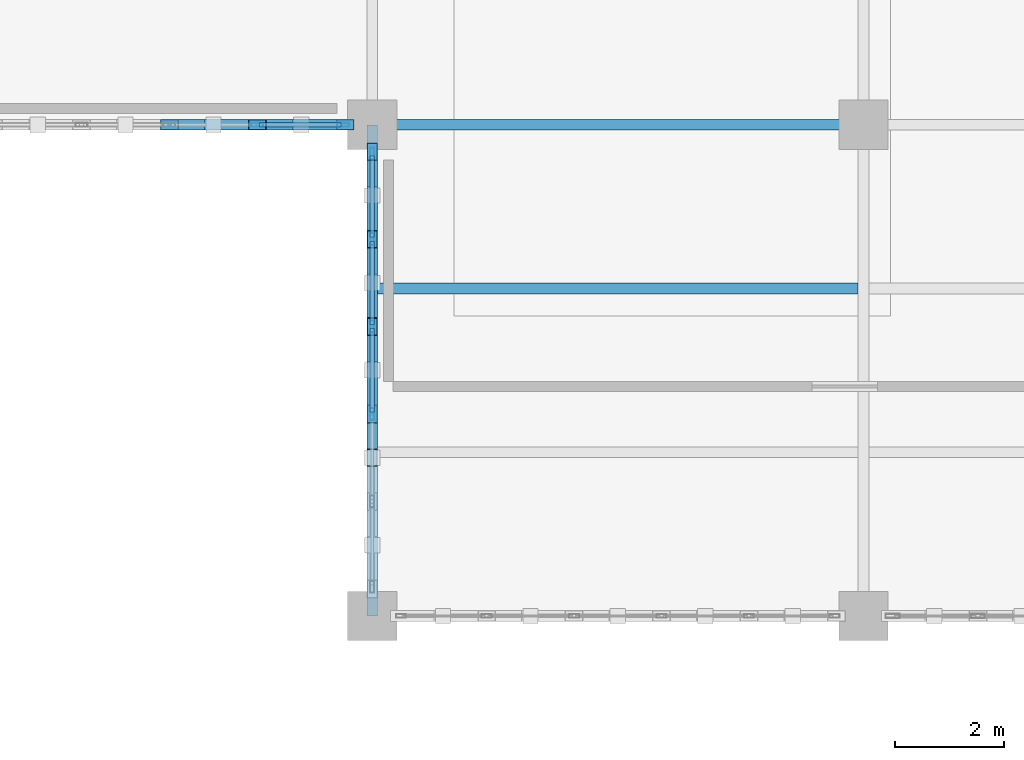
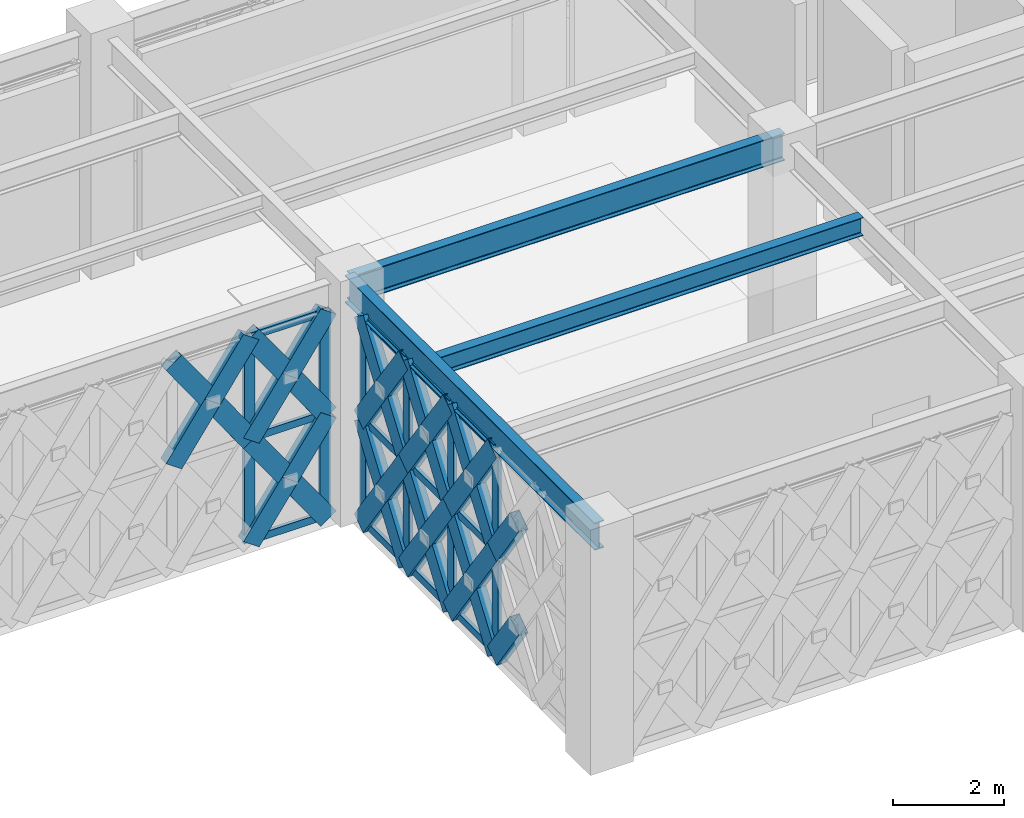
# One storey, part 19 of 155: 47 members, 3 beams, 2 elements without a shape of their own.
"""IFC4 building model written with IfcOpenShell, lengths in metres."""

from ifc_helpers import new_model, si_unit, direction, frame, origin, origin_2d, place, context, subcontext, project, spatial, hollow_rectangle, i_section, extrude, material, material_profile, profile_set, type_object, element, aggregate, save


model = new_model("IFC4")

# Units and contexts
model_context = context("Model", 3, precision=1e-05, world=origin(), true_north=direction((0.0, 1.0)))
body_context = subcontext(model_context, "Body", "Model", "MODEL_VIEW")
ifc_project = project(units=[si_unit("LENGTHUNIT", "METRE"), si_unit("AREAUNIT", "SQUARE_METRE"), si_unit("VOLUMEUNIT", "CUBIC_METRE"), si_unit("PLANEANGLEUNIT", "RADIAN"), si_unit("MASSUNIT", "GRAM", prefix="KILO")], contexts=[model_context])

# Site, building, storey
site_placement = place(None, origin())
site = spatial("IfcSite", under=ifc_project, at=site_placement, CompositionType="ELEMENT")
building_placement = place(site_placement, origin())
building = spatial("IfcBuilding", under=site, at=building_placement, Name="Haizhuo Lancet Aquarium", CompositionType="ELEMENT")
storey_placement = place(building_placement, frame((0.0, 0.0, 10.800048828125)))
storey = spatial("IfcBuildingStorey", under=building, at=storey_placement, Name="L02", CompositionType="ELEMENT", Elevation=10.800048828125)

# Beams
ifc_material_1 = material(Name="Steel S355", Category="steel")
ifc_material_profile_1 = material_profile(ifc_material_1, i_section(OverallWidth=0.199951171875, OverallDepth=0.60009765625, WebThickness=0.010986328125, FlangeThickness=0.01708984375, FilletRadius=0.02197265625, at=origin_2d()), Name="HN 600x200x11x17")
ifc_profile_set_1 = profile_set([ifc_material_profile_1], Name="Steel S355")
beam_type_1 = type_object("IfcBeamType", Name="BM-ST-HN600", PredefinedType="BEAM", material=ifc_profile_set_1)
for number, where, z_axis, x_axis, name in (
    (1, (-72.0, -27.0, 4.85986328125), (0.0, 1.0, 0.0), (-1.0, 0.0, 0.0), "L02 V6 primary girder BM-L02-V6-004"),
    (2, (-72.0, -18.0, 4.85986328125), (1.0, 0.0, 0.0), (0.0, 1.0, 0.0), "L02 V6 primary girder BM-L02-V6-007"),
):
    element("IfcBeam", number, at=place(storey_placement, frame(where, z_axis=z_axis, x_axis=x_axis)), inside=storey, type_object=beam_type_1, Name=name, PredefinedType="BEAM", context=body_context, shape_type="SweptSolid", body=[
        extrude(i_section(OverallWidth=0.199951171875, OverallDepth=0.60009765625, WebThickness=0.010986328125, FlangeThickness=0.01708984375, FilletRadius=0.02197265625, at=origin_2d()), origin(), (0.0, 0.0, 1.0), 9.0),
    ])

# Curtain wall, members
ifc_material_2 = material(Name="Aluminium 6063-T6", Category="aluminium")
curtain_wall_type_1 = type_object("IfcCurtainWallType", Name="CWD-9660x4560", PredefinedType="NOTDEFINED", material=ifc_material_2)
curtain_wall_1_placement = place(storey_placement, origin())
curtain_wall_1 = element("IfcCurtainWall", 3, at=curtain_wall_1_placement, inside=storey, type_object=curtain_wall_type_1, Name="L02 curtain wall CW-V6-L02-212", PredefinedType="NOTDEFINED")
ifc_material_profile_2 = material_profile(ifc_material_2, hollow_rectangle(XDim=0.074951171875, YDim=0.219970703125, WallThickness=0.0048828125, at=origin_2d()), Name="ALU-M 75x220x5")
ifc_profile_set_2 = profile_set([ifc_material_profile_2], Name="Aluminium 6063-T6")
member_type_1 = type_object("IfcMemberType", Name="CW-MUL-2", PredefinedType="MULLION", material=ifc_profile_set_2)
member_1_placement = place(storey_placement, frame((-72.531982421875, -18.0, 0.0), z_axis=(0.0, 0.0, 1.0), x_axis=(0.0, -1.0, 0.0)))
member_1 = element("IfcMember", 4, at=member_1_placement, type_object=member_type_1, Name="CWD-96x45 mullion 1", PredefinedType="MULLION", context=body_context, shape_type="SweptSolid", body=[
    extrude(hollow_rectangle(XDim=0.074951171875, YDim=0.219970703125, WallThickness=0.0048828125, at=origin_2d()), origin(), (0.0, 0.0, 1.0), 4.56005859375),
])
member_2_placement = place(storey_placement, frame((-74.10498046875, -18.0, 0.0), z_axis=(0.0, 0.0, 1.0), x_axis=(0.0, -1.0, 0.0)))
member_2 = element("IfcMember", 5, at=member_2_placement, type_object=member_type_1, Name="CWD-96x45 mullion 2", PredefinedType="MULLION", context=body_context, shape_type="SweptSolid", body=[
    extrude(hollow_rectangle(XDim=0.074951171875, YDim=0.219970703125, WallThickness=0.0048828125, at=origin_2d()), origin(), (0.0, 0.0, 1.0), 4.56005859375),
])

curtain_wall_type_2 = type_object("IfcCurtainWallType", Name="CWD-8010x4560", PredefinedType="NOTDEFINED", material=ifc_material_2)
curtain_wall_2_placement = place(storey_placement, origin())
curtain_wall_2 = element("IfcCurtainWall", 6, at=curtain_wall_2_placement, inside=storey, type_object=curtain_wall_type_2, Name="L02 curtain wall CW-V6-L02-227", PredefinedType="NOTDEFINED")
member_3_placement = place(storey_placement, frame((-72.0, -23.301025390625, 0.0), z_axis=(0.0, 0.0, 1.0), x_axis=(-1.0, 0.0, 0.0)))
member_3 = element("IfcMember", 7, at=member_3_placement, type_object=member_type_1, Name="CWD-80x45 mullion 3", PredefinedType="MULLION", context=body_context, shape_type="SweptSolid", body=[
    extrude(hollow_rectangle(XDim=0.074951171875, YDim=0.219970703125, WallThickness=0.0048828125, at=origin_2d()), origin(), (0.0, 0.0, 1.0), 4.56005859375),
])
member_4_placement = place(storey_placement, frame((-72.0, -21.698974609375, 0.0), z_axis=(0.0, 0.0, 1.0), x_axis=(-1.0, 0.0, 0.0)))
member_4 = element("IfcMember", 8, at=member_4_placement, type_object=member_type_1, Name="CWD-80x45 mullion 4", PredefinedType="MULLION", context=body_context, shape_type="SweptSolid", body=[
    extrude(hollow_rectangle(XDim=0.074951171875, YDim=0.219970703125, WallThickness=0.0048828125, at=origin_2d()), origin(), (0.0, 0.0, 1.0), 4.56005859375),
])
member_5_placement = place(storey_placement, frame((-72.0, -20.096923828125, 0.0), z_axis=(0.0, 0.0, 1.0), x_axis=(-1.0, 0.0, 0.0)))
member_5 = element("IfcMember", 9, at=member_5_placement, type_object=member_type_1, Name="CWD-80x45 mullion 5", PredefinedType="MULLION", context=body_context, shape_type="SweptSolid", body=[
    extrude(hollow_rectangle(XDim=0.074951171875, YDim=0.219970703125, WallThickness=0.0048828125, at=origin_2d()), origin(), (0.0, 0.0, 1.0), 4.56005859375),
])
member_6_placement = place(storey_placement, frame((-72.0, -18.531982421875, 0.0), z_axis=(0.0, 0.0, 1.0), x_axis=(-1.0, 0.0, 0.0)))
member_6 = element("IfcMember", 10, at=member_6_placement, type_object=member_type_1, Name="CWD-80x45 mullion 6", PredefinedType="MULLION", context=body_context, shape_type="SweptSolid", body=[
    extrude(hollow_rectangle(XDim=0.074951171875, YDim=0.219970703125, WallThickness=0.0048828125, at=origin_2d()), origin(), (0.0, 0.0, 1.0), 4.56005859375),
])

# Member
ifc_material_profile_3 = material_profile(ifc_material_2, hollow_rectangle(XDim=0.074951171875, YDim=0.159912109375, WallThickness=0.00390625, at=origin_2d()), Name="ALU-T 75x160x4")
ifc_profile_set_3 = profile_set([ifc_material_profile_3], Name="Aluminium 6063-T6")
member_type_2 = type_object("IfcMemberType", Name="CW-TRN-2", PredefinedType="NOTDEFINED", material=ifc_profile_set_3)
member_7_placement = place(storey_placement, frame((-72.570068359375, -18.0, 0.037841796875), z_axis=(-1.0, 0.0, 0.0), x_axis=(0.0, -1.0, 0.0)))
member_7 = element("IfcMember", 11, at=member_7_placement, type_object=member_type_2, Name="CWD-96x45 transom 1.1", ObjectType="TRANSOM", PredefinedType="USERDEFINED", context=body_context, shape_type="SweptSolid", body=[
    extrude(hollow_rectangle(XDim=0.074951171875, YDim=0.159912109375, WallThickness=0.00390625, at=origin_2d()), origin(), (0.0, 0.0, 1.0), 1.498046875),
])

member_8_placement = place(storey_placement, frame((-72.570068359375, -18.0, 2.280029296875), z_axis=(-1.0, 0.0, 0.0), x_axis=(0.0, -1.0, 0.0)))
member_8 = element("IfcMember", 12, at=member_8_placement, type_object=member_type_2, Name="CWD-96x45 transom 1.2", ObjectType="TRANSOM", PredefinedType="USERDEFINED", context=body_context, shape_type="SweptSolid", body=[
    extrude(hollow_rectangle(XDim=0.074951171875, YDim=0.159912109375, WallThickness=0.00390625, at=origin_2d()), origin(), (0.0, 0.0, 1.0), 1.498046875),
])

member_9_placement = place(storey_placement, frame((-72.570068359375, -18.0, 4.52197265625), z_axis=(-1.0, 0.0, 0.0), x_axis=(0.0, -1.0, 0.0)))
member_9 = element("IfcMember", 13, at=member_9_placement, type_object=member_type_2, Name="CWD-96x45 transom 1.3", ObjectType="TRANSOM", PredefinedType="USERDEFINED", context=body_context, shape_type="SweptSolid", body=[
    extrude(hollow_rectangle(XDim=0.074951171875, YDim=0.159912109375, WallThickness=0.00390625, at=origin_2d()), origin(), (0.0, 0.0, 1.0), 1.498046875),
])

aggregate(curtain_wall_1, [member_1, member_2, member_7, member_8, member_9])

member_10_placement = place(storey_placement, frame((-72.0, -23.263916015625, 0.037841796875), z_axis=(0.0, 1.0, 0.0), x_axis=(-1.0, 0.0, 0.0)))
member_10 = element("IfcMember", 14, at=member_10_placement, type_object=member_type_2, Name="CWD-80x45 transom 3.1", ObjectType="TRANSOM", PredefinedType="USERDEFINED", context=body_context, shape_type="SweptSolid", body=[
    extrude(hollow_rectangle(XDim=0.074951171875, YDim=0.159912109375, WallThickness=0.00390625, at=origin_2d()), origin(), (0.0, 0.0, 1.0), 1.52783203125),
])

member_11_placement = place(storey_placement, frame((-72.0, -23.263916015625, 2.280029296875), z_axis=(0.0, 1.0, 0.0), x_axis=(-1.0, 0.0, 0.0)))
member_11 = element("IfcMember", 15, at=member_11_placement, type_object=member_type_2, Name="CWD-80x45 transom 3.2", ObjectType="TRANSOM", PredefinedType="USERDEFINED", context=body_context, shape_type="SweptSolid", body=[
    extrude(hollow_rectangle(XDim=0.074951171875, YDim=0.159912109375, WallThickness=0.00390625, at=origin_2d()), origin(), (0.0, 0.0, 1.0), 1.52783203125),
])

member_12_placement = place(storey_placement, frame((-72.0, -23.263916015625, 4.52197265625), z_axis=(0.0, 1.0, 0.0), x_axis=(-1.0, 0.0, 0.0)))
member_12 = element("IfcMember", 16, at=member_12_placement, type_object=member_type_2, Name="CWD-80x45 transom 3.3", ObjectType="TRANSOM", PredefinedType="USERDEFINED", context=body_context, shape_type="SweptSolid", body=[
    extrude(hollow_rectangle(XDim=0.074951171875, YDim=0.159912109375, WallThickness=0.00390625, at=origin_2d()), origin(), (0.0, 0.0, 1.0), 1.52783203125),
])

member_13_placement = place(storey_placement, frame((-72.0, -21.662109375, 0.037841796875), z_axis=(0.0, 1.0, 0.0), x_axis=(-1.0, 0.0, 0.0)))
member_13 = element("IfcMember", 17, at=member_13_placement, type_object=member_type_2, Name="CWD-80x45 transom 4.1", ObjectType="TRANSOM", PredefinedType="USERDEFINED", context=body_context, shape_type="SweptSolid", body=[
    extrude(hollow_rectangle(XDim=0.074951171875, YDim=0.159912109375, WallThickness=0.00390625, at=origin_2d()), origin(), (0.0, 0.0, 1.0), 1.528076171875),
])

member_14_placement = place(storey_placement, frame((-72.0, -21.662109375, 2.280029296875), z_axis=(0.0, 1.0, 0.0), x_axis=(-1.0, 0.0, 0.0)))
member_14 = element("IfcMember", 18, at=member_14_placement, type_object=member_type_2, Name="CWD-80x45 transom 4.2", ObjectType="TRANSOM", PredefinedType="USERDEFINED", context=body_context, shape_type="SweptSolid", body=[
    extrude(hollow_rectangle(XDim=0.074951171875, YDim=0.159912109375, WallThickness=0.00390625, at=origin_2d()), origin(), (0.0, 0.0, 1.0), 1.528076171875),
])

member_15_placement = place(storey_placement, frame((-72.0, -21.662109375, 4.52197265625), z_axis=(0.0, 1.0, 0.0), x_axis=(-1.0, 0.0, 0.0)))
member_15 = element("IfcMember", 19, at=member_15_placement, type_object=member_type_2, Name="CWD-80x45 transom 4.3", ObjectType="TRANSOM", PredefinedType="USERDEFINED", context=body_context, shape_type="SweptSolid", body=[
    extrude(hollow_rectangle(XDim=0.074951171875, YDim=0.159912109375, WallThickness=0.00390625, at=origin_2d()), origin(), (0.0, 0.0, 1.0), 1.528076171875),
])

member_16_placement = place(storey_placement, frame((-72.0, -20.05908203125, 0.037841796875), z_axis=(0.0, 1.0, 0.0), x_axis=(-1.0, 0.0, 0.0)))
member_16 = element("IfcMember", 20, at=member_16_placement, type_object=member_type_2, Name="CWD-80x45 transom 5.1", ObjectType="TRANSOM", PredefinedType="USERDEFINED", context=body_context, shape_type="SweptSolid", body=[
    extrude(hollow_rectangle(XDim=0.074951171875, YDim=0.159912109375, WallThickness=0.00390625, at=origin_2d()), origin(), (0.0, 0.0, 1.0), 1.489013671875),
])

member_17_placement = place(storey_placement, frame((-72.0, -20.05908203125, 2.280029296875), z_axis=(0.0, 1.0, 0.0), x_axis=(-1.0, 0.0, 0.0)))
member_17 = element("IfcMember", 21, at=member_17_placement, type_object=member_type_2, Name="CWD-80x45 transom 5.2", ObjectType="TRANSOM", PredefinedType="USERDEFINED", context=body_context, shape_type="SweptSolid", body=[
    extrude(hollow_rectangle(XDim=0.074951171875, YDim=0.159912109375, WallThickness=0.00390625, at=origin_2d()), origin(), (0.0, 0.0, 1.0), 1.489013671875),
])

member_18_placement = place(storey_placement, frame((-72.0, -20.05908203125, 4.52197265625), z_axis=(0.0, 1.0, 0.0), x_axis=(-1.0, 0.0, 0.0)))
member_18 = element("IfcMember", 22, at=member_18_placement, type_object=member_type_2, Name="CWD-80x45 transom 5.3", ObjectType="TRANSOM", PredefinedType="USERDEFINED", context=body_context, shape_type="SweptSolid", body=[
    extrude(hollow_rectangle(XDim=0.074951171875, YDim=0.159912109375, WallThickness=0.00390625, at=origin_2d()), origin(), (0.0, 0.0, 1.0), 1.489013671875),
])

aggregate(curtain_wall_2, [member_3, member_4, member_5, member_6, member_10, member_11, member_12, member_13, member_14, member_15, member_16, member_17, member_18])

# Beam
ifc_material_profile_4 = material_profile(ifc_material_1, i_section(OverallWidth=0.199951171875, OverallDepth=0.39990234375, WebThickness=0.008056640625, FlangeThickness=0.012939453125, FilletRadius=0.01611328125, at=origin_2d()), Name="HN 400x200x8x13")
ifc_profile_set_4 = profile_set([ifc_material_profile_4], Name="Steel S355")
beam_type_2 = type_object("IfcBeamType", Name="JST-ST-HN400", PredefinedType="JOIST", material=ifc_profile_set_4)
beam_placement = place(storey_placement, frame((-71.89990234375, -21.0, 4.9599609375), z_axis=(1.0, 0.0, 0.0), x_axis=(0.0, 1.0, 0.0)))
element("IfcBeam", 23, at=beam_placement, inside=storey, type_object=beam_type_2, Name="L02 V6 secondary floor joist 4", PredefinedType="JOIST", context=body_context, shape_type="SweptSolid", body=[
    extrude(i_section(OverallWidth=0.199951171875, OverallDepth=0.39990234375, WebThickness=0.008056640625, FlangeThickness=0.012939453125, FilletRadius=0.01611328125, at=origin_2d()), origin(), (0.0, 0.0, 1.0), 8.7998046875),
])

# Members
ifc_material_profile_5 = material_profile(ifc_material_1, hollow_rectangle(XDim=0.199951171875, YDim=0.39990234375, WallThickness=0.011962890625, at=origin_2d()), Name="RHS 200x400x12")
ifc_profile_set_5 = profile_set([ifc_material_profile_5], Name="Steel S355")
member_type_3 = type_object("IfcMemberType", Name="MEM-LB-RHS200x400", PredefinedType="BRACE", material=ifc_profile_set_5)
member_19_placement = place(storey_placement, frame((-72.4951171875, -18.0, 0.0), z_axis=(-0.576786219339, 0.0, 0.816895132303), x_axis=(0.0, -1.0, 0.0)))
element("IfcMember", 24, at=member_19_placement, inside=storey, type_object=member_type_3, Name="Gothic lancet continuous diagonal brace CW-V6-L02-212 1A", PredefinedType="BRACE", context=body_context, shape_type="SweptSolid", body=[
    extrude(hollow_rectangle(XDim=0.199951171875, YDim=0.39990234375, WallThickness=0.011962890625, at=origin_2d()), origin(), (0.0, 0.0, 1.0), 2.791015625),
])
member_20_placement = place(storey_placement, frame((-74.10498046875, -18.0, 0.0), z_axis=(0.576827435773, 0.0, 0.816866029003), x_axis=(0.0, 1.0, 0.0)))
element("IfcMember", 25, at=member_20_placement, inside=storey, type_object=member_type_3, Name="Gothic lancet split diagonal brace CW-V6-L02-212 1B1", PredefinedType="BRACE", context=body_context, shape_type="SweptSolid", body=[
    extrude(hollow_rectangle(XDim=0.199951171875, YDim=0.39990234375, WallThickness=0.011962890625, at=origin_2d()), origin(), (0.0, 0.0, 1.0), 1.3955078125),
])
member_21_placement = place(storey_placement, frame((-73.300048828125, -18.0, 1.139892578125), z_axis=(0.576745007327, 0.0, 0.816924229365), x_axis=(0.0, 1.0, 0.0)))
element("IfcMember", 26, at=member_21_placement, inside=storey, type_object=member_type_3, Name="Gothic lancet split diagonal brace CW-V6-L02-212 1B2", PredefinedType="BRACE", context=body_context, shape_type="SweptSolid", body=[
    extrude(hollow_rectangle(XDim=0.199951171875, YDim=0.39990234375, WallThickness=0.011962890625, at=origin_2d()), origin(), (0.0, 0.0, 1.0), 1.395751953125),
])
member_22_placement = place(storey_placement, frame((-72.4951171875, -18.0, 2.280029296875), z_axis=(-0.576786219339, 0.0, 0.816895132303), x_axis=(0.0, -1.0, 0.0)))
element("IfcMember", 27, at=member_22_placement, inside=storey, type_object=member_type_3, Name="Gothic lancet continuous diagonal brace CW-V6-L02-212 2A", PredefinedType="BRACE", context=body_context, shape_type="SweptSolid", body=[
    extrude(hollow_rectangle(XDim=0.199951171875, YDim=0.39990234375, WallThickness=0.011962890625, at=origin_2d()), origin(), (0.0, 0.0, 1.0), 2.791015625),
])
member_23_placement = place(storey_placement, frame((-74.10498046875, -18.0, 2.280029296875), z_axis=(0.576827435773, 0.0, 0.816866029003), x_axis=(0.0, 1.0, 0.0)))
element("IfcMember", 28, at=member_23_placement, inside=storey, type_object=member_type_3, Name="Gothic lancet split diagonal brace CW-V6-L02-212 2B1", PredefinedType="BRACE", context=body_context, shape_type="SweptSolid", body=[
    extrude(hollow_rectangle(XDim=0.199951171875, YDim=0.39990234375, WallThickness=0.011962890625, at=origin_2d()), origin(), (0.0, 0.0, 1.0), 1.3955078125),
])
member_24_placement = place(storey_placement, frame((-73.300048828125, -18.0, 3.419921875), z_axis=(0.576745007327, 0.0, 0.816924229365), x_axis=(0.0, 1.0, 0.0)))
element("IfcMember", 29, at=member_24_placement, inside=storey, type_object=member_type_3, Name="Gothic lancet split diagonal brace CW-V6-L02-212 2B2", PredefinedType="BRACE", context=body_context, shape_type="SweptSolid", body=[
    extrude(hollow_rectangle(XDim=0.199951171875, YDim=0.39990234375, WallThickness=0.011962890625, at=origin_2d()), origin(), (0.0, 0.0, 1.0), 1.395751953125),
])
member_25_placement = place(storey_placement, frame((-74.10498046875, -18.0, 2.280029296875), z_axis=(-0.576844586112, 0.0, 0.816853918074), x_axis=(0.0, -1.0, 0.0)))
element("IfcMember", 30, at=member_25_placement, inside=storey, type_object=member_type_3, Name="Gothic lancet continuous diagonal brace CW-V6-L02-212 4A", PredefinedType="BRACE", context=body_context, shape_type="SweptSolid", body=[
    extrude(hollow_rectangle(XDim=0.199951171875, YDim=0.39990234375, WallThickness=0.011962890625, at=origin_2d()), origin(), (0.0, 0.0, 1.0), 2.791259765625),
])
member_26_placement = place(storey_placement, frame((-75.715087890625, -18.0, 2.280029296875), z_axis=(0.576944160506, 0.0, 0.816783591693), x_axis=(0.0, 1.0, 0.0)))
element("IfcMember", 31, at=member_26_placement, inside=storey, type_object=member_type_3, Name="Gothic lancet split diagonal brace CW-V6-L02-212 4B1", PredefinedType="BRACE", context=body_context, shape_type="SweptSolid", body=[
    extrude(hollow_rectangle(XDim=0.199951171875, YDim=0.39990234375, WallThickness=0.011962890625, at=origin_2d()), origin(), (0.0, 0.0, 1.0), 1.3955078125),
])
member_27_placement = place(storey_placement, frame((-74.909912109375, -18.0, 3.419921875), z_axis=(0.576745007327, 0.0, 0.816924229365), x_axis=(0.0, 1.0, 0.0)))
element("IfcMember", 32, at=member_27_placement, inside=storey, type_object=member_type_3, Name="Gothic lancet split diagonal brace CW-V6-L02-212 4B2", PredefinedType="BRACE", context=body_context, shape_type="SweptSolid", body=[
    extrude(hollow_rectangle(XDim=0.199951171875, YDim=0.39990234375, WallThickness=0.011962890625, at=origin_2d()), origin(), (0.0, 0.0, 1.0), 1.395751953125),
])
for number, where, z_axis, x_axis, name in (
    (33, (-72.0, -23.301025390625, 0.0), (0.0, -0.574955028356, 0.818185012921), (1.0, 0.0, 0.0), "Gothic lancet split diagonal brace CW-V6-L02-227 3B1"),
    (34, (-72.0, -23.301025390625, 2.280029296875), (0.0, -0.574955028356, 0.818185012921), (1.0, 0.0, 0.0), "Gothic lancet split diagonal brace CW-V6-L02-227 4B1"),
):
    element("IfcMember", number, at=place(storey_placement, frame(where, z_axis=z_axis, x_axis=x_axis)), inside=storey, type_object=member_type_3, Name=name, PredefinedType="BRACE", context=body_context, shape_type="SweptSolid", body=[
        extrude(hollow_rectangle(XDim=0.199951171875, YDim=0.39990234375, WallThickness=0.011962890625, at=origin_2d()), origin(), (0.0, 0.0, 1.0), 1.393310546875),
    ])
member_28_placement = place(storey_placement, frame((-72.0, -23.301025390625, 0.0), z_axis=(0.0, 0.574913812948, 0.818213974264), x_axis=(-1.0, 0.0, 0.0)))
element("IfcMember", 35, at=member_28_placement, inside=storey, type_object=member_type_3, Name="Gothic lancet continuous diagonal brace CW-V6-L02-227 5A", PredefinedType="BRACE", context=body_context, shape_type="SweptSolid", body=[
    extrude(hollow_rectangle(XDim=0.199951171875, YDim=0.39990234375, WallThickness=0.011962890625, at=origin_2d()), origin(), (0.0, 0.0, 1.0), 2.78662109375),
])
for number, where, z_axis, x_axis, name in (
    (36, (-72.0, -21.698974609375, 0.0), (0.0, -0.574955028356, 0.818185012921), (1.0, 0.0, 0.0), "Gothic lancet split diagonal brace CW-V6-L02-227 5B1"),
    (37, (-72.0, -22.5, 1.139892578125), (0.0, -0.574872601991, 0.81824292938), (1.0, 0.0, 0.0), "Gothic lancet split diagonal brace CW-V6-L02-227 5B2"),
):
    element("IfcMember", number, at=place(storey_placement, frame(where, z_axis=z_axis, x_axis=x_axis)), inside=storey, type_object=member_type_3, Name=name, PredefinedType="BRACE", context=body_context, shape_type="SweptSolid", body=[
        extrude(hollow_rectangle(XDim=0.199951171875, YDim=0.39990234375, WallThickness=0.011962890625, at=origin_2d()), origin(), (0.0, 0.0, 1.0), 1.393310546875),
    ])
member_29_placement = place(storey_placement, frame((-72.0, -23.301025390625, 2.280029296875), z_axis=(0.0, 0.574913812948, 0.818213974264), x_axis=(-1.0, 0.0, 0.0)))
element("IfcMember", 38, at=member_29_placement, inside=storey, type_object=member_type_3, Name="Gothic lancet continuous diagonal brace CW-V6-L02-227 6A", PredefinedType="BRACE", context=body_context, shape_type="SweptSolid", body=[
    extrude(hollow_rectangle(XDim=0.199951171875, YDim=0.39990234375, WallThickness=0.011962890625, at=origin_2d()), origin(), (0.0, 0.0, 1.0), 2.78662109375),
])
for number, where, z_axis, x_axis, name in (
    (39, (-72.0, -21.698974609375, 2.280029296875), (0.0, -0.574955028356, 0.818185012921), (1.0, 0.0, 0.0), "Gothic lancet split diagonal brace CW-V6-L02-227 6B1"),
    (40, (-72.0, -22.5, 3.419921875), (0.0, -0.574872601991, 0.81824292938), (1.0, 0.0, 0.0), "Gothic lancet split diagonal brace CW-V6-L02-227 6B2"),
):
    element("IfcMember", number, at=place(storey_placement, frame(where, z_axis=z_axis, x_axis=x_axis)), inside=storey, type_object=member_type_3, Name=name, PredefinedType="BRACE", context=body_context, shape_type="SweptSolid", body=[
        extrude(hollow_rectangle(XDim=0.199951171875, YDim=0.39990234375, WallThickness=0.011962890625, at=origin_2d()), origin(), (0.0, 0.0, 1.0), 1.393310546875),
    ])
member_30_placement = place(storey_placement, frame((-72.0, -21.698974609375, 0.0), z_axis=(0.0, 0.574913812948, 0.818213974264), x_axis=(-1.0, 0.0, 0.0)))
element("IfcMember", 41, at=member_30_placement, inside=storey, type_object=member_type_3, Name="Gothic lancet continuous diagonal brace CW-V6-L02-227 7A", PredefinedType="BRACE", context=body_context, shape_type="SweptSolid", body=[
    extrude(hollow_rectangle(XDim=0.199951171875, YDim=0.39990234375, WallThickness=0.011962890625, at=origin_2d()), origin(), (0.0, 0.0, 1.0), 2.78662109375),
])
for number, where, z_axis, x_axis, name in (
    (42, (-72.0, -20.096923828125, 0.0), (0.0, -0.574955028356, 0.818185012921), (1.0, 0.0, 0.0), "Gothic lancet split diagonal brace CW-V6-L02-227 7B1"),
    (43, (-72.0, -20.89794921875, 1.139892578125), (0.0, -0.574872601991, 0.81824292938), (1.0, 0.0, 0.0), "Gothic lancet split diagonal brace CW-V6-L02-227 7B2"),
):
    element("IfcMember", number, at=place(storey_placement, frame(where, z_axis=z_axis, x_axis=x_axis)), inside=storey, type_object=member_type_3, Name=name, PredefinedType="BRACE", context=body_context, shape_type="SweptSolid", body=[
        extrude(hollow_rectangle(XDim=0.199951171875, YDim=0.39990234375, WallThickness=0.011962890625, at=origin_2d()), origin(), (0.0, 0.0, 1.0), 1.393310546875),
    ])
member_31_placement = place(storey_placement, frame((-72.0, -21.698974609375, 2.280029296875), z_axis=(0.0, 0.574913812948, 0.818213974264), x_axis=(-1.0, 0.0, 0.0)))
element("IfcMember", 44, at=member_31_placement, inside=storey, type_object=member_type_3, Name="Gothic lancet continuous diagonal brace CW-V6-L02-227 8A", PredefinedType="BRACE", context=body_context, shape_type="SweptSolid", body=[
    extrude(hollow_rectangle(XDim=0.199951171875, YDim=0.39990234375, WallThickness=0.011962890625, at=origin_2d()), origin(), (0.0, 0.0, 1.0), 2.78662109375),
])
for number, where, z_axis, x_axis, name in (
    (45, (-72.0, -20.096923828125, 2.280029296875), (0.0, -0.574955028356, 0.818185012921), (1.0, 0.0, 0.0), "Gothic lancet split diagonal brace CW-V6-L02-227 8B1"),
    (46, (-72.0, -20.89794921875, 3.419921875), (0.0, -0.574872601991, 0.81824292938), (1.0, 0.0, 0.0), "Gothic lancet split diagonal brace CW-V6-L02-227 8B2"),
):
    element("IfcMember", number, at=place(storey_placement, frame(where, z_axis=z_axis, x_axis=x_axis)), inside=storey, type_object=member_type_3, Name=name, PredefinedType="BRACE", context=body_context, shape_type="SweptSolid", body=[
        extrude(hollow_rectangle(XDim=0.199951171875, YDim=0.39990234375, WallThickness=0.011962890625, at=origin_2d()), origin(), (0.0, 0.0, 1.0), 1.393310546875),
    ])
member_32_placement = place(storey_placement, frame((-72.0, -20.096923828125, 0.0), z_axis=(0.0, 0.574855154156, 0.81825518742), x_axis=(-1.0, 0.0, 0.0)))
element("IfcMember", 47, at=member_32_placement, inside=storey, type_object=member_type_3, Name="Gothic lancet continuous diagonal brace CW-V6-L02-227 9A", PredefinedType="BRACE", context=body_context, shape_type="SweptSolid", body=[
    extrude(hollow_rectangle(XDim=0.199951171875, YDim=0.39990234375, WallThickness=0.011962890625, at=origin_2d()), origin(), (0.0, 0.0, 1.0), 2.786376953125),
])
member_33_placement = place(storey_placement, frame((-72.0, -18.4951171875, 0.0), z_axis=(0.0, -0.5748377018, 0.818267448081), x_axis=(1.0, 0.0, 0.0)))
element("IfcMember", 48, at=member_33_placement, inside=storey, type_object=member_type_3, Name="Gothic lancet split diagonal brace CW-V6-L02-227 9B1", PredefinedType="BRACE", context=body_context, shape_type="SweptSolid", body=[
    extrude(hollow_rectangle(XDim=0.199951171875, YDim=0.39990234375, WallThickness=0.011962890625, at=origin_2d()), origin(), (0.0, 0.0, 1.0), 1.39306640625),
])
member_34_placement = place(storey_placement, frame((-72.0, -19.2958984375, 1.139892578125), z_axis=(0.0, -0.574872601991, 0.81824292938), x_axis=(1.0, 0.0, 0.0)))
element("IfcMember", 49, at=member_34_placement, inside=storey, type_object=member_type_3, Name="Gothic lancet split diagonal brace CW-V6-L02-227 9B2", PredefinedType="BRACE", context=body_context, shape_type="SweptSolid", body=[
    extrude(hollow_rectangle(XDim=0.199951171875, YDim=0.39990234375, WallThickness=0.011962890625, at=origin_2d()), origin(), (0.0, 0.0, 1.0), 1.393310546875),
])
member_35_placement = place(storey_placement, frame((-72.0, -20.096923828125, 2.280029296875), z_axis=(0.0, 0.574855154156, 0.81825518742), x_axis=(-1.0, 0.0, 0.0)))
element("IfcMember", 50, at=member_35_placement, inside=storey, type_object=member_type_3, Name="Gothic lancet continuous diagonal brace CW-V6-L02-227 10A", PredefinedType="BRACE", context=body_context, shape_type="SweptSolid", body=[
    extrude(hollow_rectangle(XDim=0.199951171875, YDim=0.39990234375, WallThickness=0.011962890625, at=origin_2d()), origin(), (0.0, 0.0, 1.0), 2.786376953125),
])
member_36_placement = place(storey_placement, frame((-72.0, -18.4951171875, 2.280029296875), z_axis=(0.0, -0.5748377018, 0.818267448081), x_axis=(1.0, 0.0, 0.0)))
element("IfcMember", 51, at=member_36_placement, inside=storey, type_object=member_type_3, Name="Gothic lancet split diagonal brace CW-V6-L02-227 10B1", PredefinedType="BRACE", context=body_context, shape_type="SweptSolid", body=[
    extrude(hollow_rectangle(XDim=0.199951171875, YDim=0.39990234375, WallThickness=0.011962890625, at=origin_2d()), origin(), (0.0, 0.0, 1.0), 1.39306640625),
])
member_37_placement = place(storey_placement, frame((-72.0, -19.2958984375, 3.419921875), z_axis=(0.0, -0.574872601991, 0.81824292938), x_axis=(1.0, 0.0, 0.0)))
element("IfcMember", 52, at=member_37_placement, inside=storey, type_object=member_type_3, Name="Gothic lancet split diagonal brace CW-V6-L02-227 10B2", PredefinedType="BRACE", context=body_context, shape_type="SweptSolid", body=[
    extrude(hollow_rectangle(XDim=0.199951171875, YDim=0.39990234375, WallThickness=0.011962890625, at=origin_2d()), origin(), (0.0, 0.0, 1.0), 1.393310546875),
])

save(model, "model.ifc")
